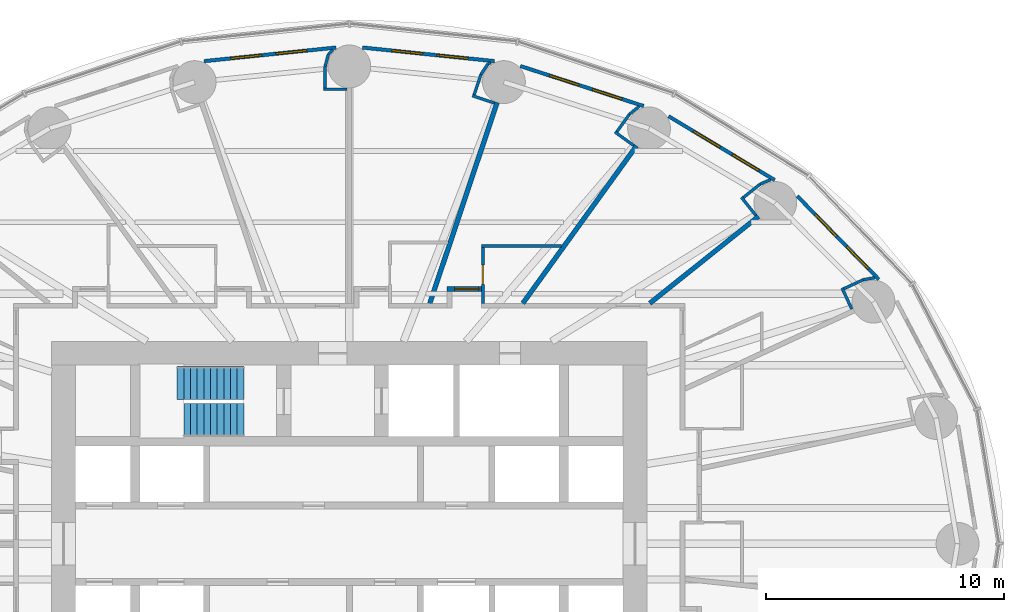
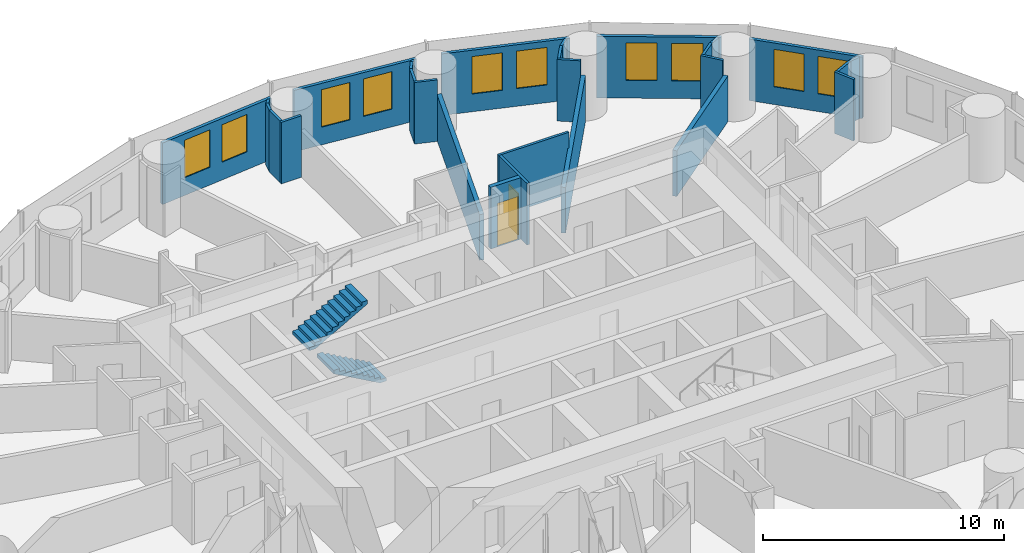
# One storey, part 12 of 14: 28 walls, 10 windows, 2 doors, 2 stair flights, 12 openings, 1 element without a shape of its own.
"""IFC4 building model written with IfcOpenShell, lengths in metres."""

from ifc_helpers import new_model, si_unit, direction, frame, frame_2d, origin, place, context, subcontext, project, spatial, polyline, rectangle, outline, extrude, material, layer, layer_set, type_object, element, fill, aggregate, save


model = new_model("IFC4")

# Units and contexts
model_context = context("Model", 3, precision=1e-05, world=origin(), true_north=direction((0.0, 1.0)))
body_context = subcontext(model_context, "Body", "Model", "MODEL_VIEW")
ifc_project = project(units=[si_unit("LENGTHUNIT", "METRE"), si_unit("AREAUNIT", "SQUARE_METRE"), si_unit("VOLUMEUNIT", "CUBIC_METRE"), si_unit("PLANEANGLEUNIT", "RADIAN"), si_unit("MASSUNIT", "GRAM", prefix="KILO")], contexts=[model_context])

# Site, building, storey
site_placement = place(None, origin())
site = spatial("IfcSite", under=ifc_project, at=site_placement, CompositionType="ELEMENT")
building_placement = place(site_placement, origin())
building = spatial("IfcBuilding", under=site, at=building_placement, Name="Hankou Lantern Tower", CompositionType="ELEMENT")
storey_placement = place(building_placement, frame((0.0, 0.0, 29.39990234375)))
storey = spatial("IfcBuildingStorey", under=building, at=storey_placement, Name="L05", CompositionType="ELEMENT", Elevation=29.39990234375)

# Wall, openings, windows
ifc_material_1 = material(Name="Aluminium spandrel panel on steel studs", Category="steel")
ifc_layer_1 = layer(ifc_material_1, 0.14990234375)
ifc_layer_set_1 = layer_set([ifc_layer_1], Name="Aluminium spandrel panel on steel studs")
wall_type_1 = type_object("IfcWallType", Name="EW1 INNER SKIN WALL 150", PredefinedType="ELEMENTEDWALL", material=ifc_layer_set_1)
wall_1_placement = place(storey_placement, frame((22.23876953125, 11.1083984375, 0.0), z_axis=(0.0, 0.0, 1.0), x_axis=(-0.699612594083, 0.714522370679, 0.0)))
wall_1 = element("IfcWall", 1, at=wall_1_placement, inside=storey, type_object=wall_type_1, Name="Inner skin R03-R04 L05", PredefinedType="ELEMENTEDWALL", context=body_context, shape_type="SweptSolid", body=[
    extrude(rectangle(XDim=4.89599609375, YDim=0.14990234375, at=frame_2d((2.447998046875, 0.0))), origin(), (0.0, 0.0, 1.0), 3.1201171875),
])
opening_1_placement = place(wall_1_placement, frame((0.619140625, 0.0, 0.89990234375)))
opening_1 = element("IfcOpeningElement", 2, at=opening_1_placement, cuts=wall_1, Name="Opening W9", PredefinedType="OPENING", context=body_context, shape_type="SweptSolid", body=[
    extrude(rectangle(XDim=1.300048828125, YDim=1.89990234375, at=frame_2d((0.64990234375, 0.949951171875))), frame((0.0, 0.0849609375, 0.0), z_axis=(0.0, -1.0, 0.0), x_axis=(1.0, 0.0, 0.0)), (0.0, 0.0, 1.0), 0.169921875),
])
opening_2_placement = place(wall_1_placement, frame((2.51904296875, 0.0, 0.89990234375)))
opening_2 = element("IfcOpeningElement", 3, at=opening_2_placement, cuts=wall_1, Name="Opening W9", PredefinedType="OPENING", context=body_context, shape_type="SweptSolid", body=[
    extrude(rectangle(XDim=1.300048828125, YDim=1.89990234375, at=frame_2d((0.64990234375, 0.949951171875))), frame((0.0, 0.0849609375, 0.0), z_axis=(0.0, -1.0, 0.0), x_axis=(1.0, 0.0, 0.0)), (0.0, 0.0, 1.0), 0.169921875),
])
ifc_material_2 = material(Name="Aluminium framed double glazed window", Category="aluminium")
window_type = type_object("IfcWindowType", Name="W9 GUEST ROOM WINDOW 1300X1900", PartitioningType="DOUBLE_PANEL_VERTICAL", PredefinedType="WINDOW", material=ifc_material_2)
window_1_placement = place(opening_1_placement, origin())
window_1 = element("IfcWindow", 4, at=window_1_placement, inside=storey, type_object=window_type, Name="Window R03.1 L05", OverallHeight=1.89990234375, OverallWidth=1.300048828125, PartitioningType="SINGLE_PANEL", PredefinedType="WINDOW", context=body_context, shape_type="SweptSolid", body=[
    extrude(rectangle(XDim=1.300048828125, YDim=1.89990234375, at=frame_2d((0.64990234375, 0.949951171875))), frame((0.0, 0.030029296875, 0.0), z_axis=(0.0, -1.0, 0.0), x_axis=(1.0, 0.0, 0.0)), (0.0, 0.0, 1.0), 0.06005859375),
])
fill(opening_1, window_1)
window_2_placement = place(opening_2_placement, origin())
window_2 = element("IfcWindow", 5, at=window_2_placement, inside=storey, type_object=window_type, Name="Window R03.2 L05", OverallHeight=1.89990234375, OverallWidth=1.300048828125, PartitioningType="SINGLE_PANEL", PredefinedType="WINDOW", context=body_context, shape_type="SweptSolid", body=[
    extrude(rectangle(XDim=1.300048828125, YDim=1.89990234375, at=frame_2d((0.64990234375, 0.949951171875))), frame((0.0, 0.030029296875, 0.0), z_axis=(0.0, -1.0, 0.0), x_axis=(1.0, 0.0, 0.0)), (0.0, 0.0, 1.0), 0.06005859375),
])
fill(opening_2, window_2)

wall_2_placement = place(storey_placement, frame((17.869384765625, 15.276611328125, 0.0), z_axis=(0.0, 0.0, 1.0), x_axis=(-0.856958191554, 0.515385931054, 0.0)))
wall_2 = element("IfcWall", 6, at=wall_2_placement, inside=storey, type_object=wall_type_1, Name="Inner skin R04-R05 L05", PredefinedType="ELEMENTEDWALL", context=body_context, shape_type="SweptSolid", body=[
    extrude(rectangle(XDim=5.201171875, YDim=0.14990234375, at=frame_2d((2.6005859375, 0.0))), origin(), (0.0, 0.0, 1.0), 3.1201171875),
])
opening_3_placement = place(wall_2_placement, frame((0.7763671875, 0.0, 0.89990234375)))
opening_3 = element("IfcOpeningElement", 7, at=opening_3_placement, cuts=wall_2, Name="Opening W9", PredefinedType="OPENING", context=body_context, shape_type="SweptSolid", body=[
    extrude(rectangle(XDim=1.300048828125, YDim=1.89990234375, at=frame_2d((0.64990234375, 0.949951171875))), frame((0.0, 0.0849609375, 0.0), z_axis=(0.0, -1.0, 0.0), x_axis=(1.0, 0.0, 0.0)), (0.0, 0.0, 1.0), 0.169921875),
])
opening_4_placement = place(wall_2_placement, frame((2.67626953125, 0.0, 0.89990234375)))
opening_4 = element("IfcOpeningElement", 8, at=opening_4_placement, cuts=wall_2, Name="Opening W9", PredefinedType="OPENING", context=body_context, shape_type="SweptSolid", body=[
    extrude(rectangle(XDim=1.300048828125, YDim=1.89990234375, at=frame_2d((0.64990234375, 0.949951171875))), frame((0.0, 0.0849609375, 0.0), z_axis=(0.0, -1.0, 0.0), x_axis=(1.0, 0.0, 0.0)), (0.0, 0.0, 1.0), 0.169921875),
])
window_3_placement = place(opening_3_placement, origin())
window_3 = element("IfcWindow", 9, at=window_3_placement, inside=storey, type_object=window_type, Name="Window R04.1 L05", OverallHeight=1.89990234375, OverallWidth=1.300048828125, PartitioningType="SINGLE_PANEL", PredefinedType="WINDOW", context=body_context, shape_type="SweptSolid", body=[
    extrude(rectangle(XDim=1.300048828125, YDim=1.89990234375, at=frame_2d((0.64990234375, 0.949951171875))), frame((0.0, 0.030029296875, 0.0), z_axis=(0.0, -1.0, 0.0), x_axis=(1.0, 0.0, 0.0)), (0.0, 0.0, 1.0), 0.06005859375),
])
fill(opening_3, window_3)
window_4_placement = place(opening_4_placement, origin())
window_4 = element("IfcWindow", 10, at=window_4_placement, inside=storey, type_object=window_type, Name="Window R04.2 L05", OverallHeight=1.89990234375, OverallWidth=1.300048828125, PartitioningType="SINGLE_PANEL", PredefinedType="WINDOW", context=body_context, shape_type="SweptSolid", body=[
    extrude(rectangle(XDim=1.300048828125, YDim=1.89990234375, at=frame_2d((0.64990234375, 0.949951171875))), frame((0.0, 0.030029296875, 0.0), z_axis=(0.0, -1.0, 0.0), x_axis=(1.0, 0.0, 0.0)), (0.0, 0.0, 1.0), 0.06005859375),
])
fill(opening_4, window_4)

wall_3_placement = place(storey_placement, frame((12.3662109375, 18.384033203125, 0.0), z_axis=(0.0, 0.0, 1.0), x_axis=(-0.951138486029, 0.308764603532, 0.0)))
wall_3 = element("IfcWall", 11, at=wall_3_placement, inside=storey, type_object=wall_type_1, Name="Inner skin R05-R06 L05", PredefinedType="ELEMENTEDWALL", context=body_context, shape_type="SweptSolid", body=[
    extrude(rectangle(XDim=5.444091796875, YDim=0.14990234375, at=frame_2d((2.72216796875, 0.0))), origin(), (0.0, 0.0, 1.0), 3.1201171875),
])
opening_5_placement = place(wall_3_placement, frame((0.959716796875, 0.0, 0.89990234375)))
opening_5 = element("IfcOpeningElement", 12, at=opening_5_placement, cuts=wall_3, Name="Opening W9", PredefinedType="OPENING", context=body_context, shape_type="SweptSolid", body=[
    extrude(rectangle(XDim=1.300048828125, YDim=1.89990234375, at=frame_2d((0.64990234375, 0.949951171875))), frame((0.0, 0.0849609375, 0.0), z_axis=(0.0, -1.0, 0.0), x_axis=(1.0, 0.0, 0.0)), (0.0, 0.0, 1.0), 0.169921875),
])
opening_6_placement = place(wall_3_placement, frame((2.85986328125, 0.0, 0.89990234375)))
opening_6 = element("IfcOpeningElement", 13, at=opening_6_placement, cuts=wall_3, Name="Opening W9", PredefinedType="OPENING", context=body_context, shape_type="SweptSolid", body=[
    extrude(rectangle(XDim=1.300048828125, YDim=1.89990234375, at=frame_2d((0.64990234375, 0.949951171875))), frame((0.0, 0.0849609375, 0.0), z_axis=(0.0, -1.0, 0.0), x_axis=(1.0, 0.0, 0.0)), (0.0, 0.0, 1.0), 0.169921875),
])
window_5_placement = place(opening_5_placement, origin())
window_5 = element("IfcWindow", 14, at=window_5_placement, inside=storey, type_object=window_type, Name="Window R05.1 L05", OverallHeight=1.89990234375, OverallWidth=1.300048828125, PartitioningType="SINGLE_PANEL", PredefinedType="WINDOW", context=body_context, shape_type="SweptSolid", body=[
    extrude(rectangle(XDim=1.300048828125, YDim=1.89990234375, at=frame_2d((0.64990234375, 0.949951171875))), frame((0.0, 0.030029296875, 0.0), z_axis=(0.0, -1.0, 0.0), x_axis=(1.0, 0.0, 0.0)), (0.0, 0.0, 1.0), 0.06005859375),
])
fill(opening_5, window_5)
window_6_placement = place(opening_6_placement, origin())
window_6 = element("IfcWindow", 15, at=window_6_placement, inside=storey, type_object=window_type, Name="Window R05.2 L05", OverallHeight=1.89990234375, OverallWidth=1.300048828125, PartitioningType="SINGLE_PANEL", PredefinedType="WINDOW", context=body_context, shape_type="SweptSolid", body=[
    extrude(rectangle(XDim=1.300048828125, YDim=1.89990234375, at=frame_2d((0.64990234375, 0.949951171875))), frame((0.0, 0.030029296875, 0.0), z_axis=(0.0, -1.0, 0.0), x_axis=(1.0, 0.0, 0.0)), (0.0, 0.0, 1.0), 0.06005859375),
])
fill(opening_6, window_6)

wall_4_placement = place(storey_placement, frame((6.09765625, 20.27099609375, 0.0), z_axis=(0.0, 0.0, 1.0), x_axis=(-0.994723735084, 0.102589915983, 0.0)))
wall_4 = element("IfcWall", 16, at=wall_4_placement, inside=storey, type_object=wall_type_1, Name="Inner skin R06-R07 L05", PredefinedType="ELEMENTEDWALL", context=body_context, shape_type="SweptSolid", body=[
    extrude(rectangle(XDim=5.575927734375, YDim=0.14990234375, at=frame_2d((2.7880859375, 0.0))), origin(), (0.0, 0.0, 1.0), 3.1201171875),
])
opening_7_placement = place(wall_4_placement, frame((1.128662109375, 0.0, 0.89990234375)))
opening_7 = element("IfcOpeningElement", 17, at=opening_7_placement, cuts=wall_4, Name="Opening W9", PredefinedType="OPENING", context=body_context, shape_type="SweptSolid", body=[
    extrude(rectangle(XDim=1.300048828125, YDim=1.89990234375, at=frame_2d((0.64990234375, 0.949951171875))), frame((0.0, 0.0849609375, 0.0), z_axis=(0.0, -1.0, 0.0), x_axis=(1.0, 0.0, 0.0)), (0.0, 0.0, 1.0), 0.169921875),
])
opening_8_placement = place(wall_4_placement, frame((3.02880859375, 0.0, 0.89990234375)))
opening_8 = element("IfcOpeningElement", 18, at=opening_8_placement, cuts=wall_4, Name="Opening W9", PredefinedType="OPENING", context=body_context, shape_type="SweptSolid", body=[
    extrude(rectangle(XDim=1.300048828125, YDim=1.89990234375, at=frame_2d((0.64990234375, 0.949951171875))), frame((0.0, 0.0849609375, 0.0), z_axis=(0.0, -1.0, 0.0), x_axis=(1.0, 0.0, 0.0)), (0.0, 0.0, 1.0), 0.169921875),
])
window_7_placement = place(opening_7_placement, origin())
window_7 = element("IfcWindow", 19, at=window_7_placement, inside=storey, type_object=window_type, Name="Window R06.1 L05", OverallHeight=1.89990234375, OverallWidth=1.300048828125, PartitioningType="SINGLE_PANEL", PredefinedType="WINDOW", context=body_context, shape_type="SweptSolid", body=[
    extrude(rectangle(XDim=1.300048828125, YDim=1.89990234375, at=frame_2d((0.64990234375, 0.949951171875))), frame((0.0, 0.030029296875, 0.0), z_axis=(0.0, -1.0, 0.0), x_axis=(1.0, 0.0, 0.0)), (0.0, 0.0, 1.0), 0.06005859375),
])
fill(opening_7, window_7)
window_8_placement = place(opening_8_placement, origin())
window_8 = element("IfcWindow", 20, at=window_8_placement, inside=storey, type_object=window_type, Name="Window R06.2 L05", OverallHeight=1.89990234375, OverallWidth=1.300048828125, PartitioningType="SINGLE_PANEL", PredefinedType="WINDOW", context=body_context, shape_type="SweptSolid", body=[
    extrude(rectangle(XDim=1.300048828125, YDim=1.89990234375, at=frame_2d((0.64990234375, 0.949951171875))), frame((0.0, 0.030029296875, 0.0), z_axis=(0.0, -1.0, 0.0), x_axis=(1.0, 0.0, 0.0)), (0.0, 0.0, 1.0), 0.06005859375),
])
fill(opening_8, window_8)

wall_5_placement = place(storey_placement, frame((-0.55126953125, 20.843017578125, 0.0), z_axis=(0.0, 0.0, 1.0), x_axis=(-0.994723735084, -0.102589915983, 0.0)))
wall_5 = element("IfcWall", 21, at=wall_5_placement, inside=storey, type_object=wall_type_1, Name="Inner skin R07-R08 L05", PredefinedType="ELEMENTEDWALL", context=body_context, shape_type="SweptSolid", body=[
    extrude(rectangle(XDim=5.575927734375, YDim=0.14990234375, at=frame_2d((2.7880859375, 0.0))), origin(), (0.0, 0.0, 1.0), 3.1201171875),
])
opening_9_placement = place(wall_5_placement, frame((1.246826171875, 0.0, 0.89990234375)))
opening_9 = element("IfcOpeningElement", 22, at=opening_9_placement, cuts=wall_5, Name="Opening W9", PredefinedType="OPENING", context=body_context, shape_type="SweptSolid", body=[
    extrude(rectangle(XDim=1.300048828125, YDim=1.89990234375, at=frame_2d((0.64990234375, 0.949951171875))), frame((0.0, 0.0849609375, 0.0), z_axis=(0.0, -1.0, 0.0), x_axis=(1.0, 0.0, 0.0)), (0.0, 0.0, 1.0), 0.169921875),
])
opening_10_placement = place(wall_5_placement, frame((3.146728515625, 0.0, 0.89990234375)))
opening_10 = element("IfcOpeningElement", 23, at=opening_10_placement, cuts=wall_5, Name="Opening W9", PredefinedType="OPENING", context=body_context, shape_type="SweptSolid", body=[
    extrude(rectangle(XDim=1.300048828125, YDim=1.89990234375, at=frame_2d((0.64990234375, 0.949951171875))), frame((0.0, 0.0849609375, 0.0), z_axis=(0.0, -1.0, 0.0), x_axis=(1.0, 0.0, 0.0)), (0.0, 0.0, 1.0), 0.169921875),
])
window_9_placement = place(opening_9_placement, origin())
window_9 = element("IfcWindow", 24, at=window_9_placement, inside=storey, type_object=window_type, Name="Window R07.1 L05", OverallHeight=1.89990234375, OverallWidth=1.300048828125, PartitioningType="SINGLE_PANEL", PredefinedType="WINDOW", context=body_context, shape_type="SweptSolid", body=[
    extrude(rectangle(XDim=1.300048828125, YDim=1.89990234375, at=frame_2d((0.64990234375, 0.949951171875))), frame((0.0, 0.030029296875, 0.0), z_axis=(0.0, -1.0, 0.0), x_axis=(1.0, 0.0, 0.0)), (0.0, 0.0, 1.0), 0.06005859375),
])
fill(opening_9, window_9)
window_10_placement = place(opening_10_placement, origin())
window_10 = element("IfcWindow", 25, at=window_10_placement, inside=storey, type_object=window_type, Name="Window R07.2 L05", OverallHeight=1.89990234375, OverallWidth=1.300048828125, PartitioningType="SINGLE_PANEL", PredefinedType="WINDOW", context=body_context, shape_type="SweptSolid", body=[
    extrude(rectangle(XDim=1.300048828125, YDim=1.89990234375, at=frame_2d((0.64990234375, 0.949951171875))), frame((0.0, 0.030029296875, 0.0), z_axis=(0.0, -1.0, 0.0), x_axis=(1.0, 0.0, 0.0)), (0.0, 0.0, 1.0), 0.06005859375),
])
fill(opening_10, window_10)

# Wall
ifc_material_3 = material(Name="Masonry lightweight concrete block", Category="masonry")
ifc_layer_2 = layer(ifc_material_3, 0.199951171875)
ifc_layer_set_2 = layer_set([ifc_layer_2], Name="Masonry lightweight concrete block")
wall_type_2 = type_object("IfcWallType", Name="IW1 GUEST ROOM PARTY WALL 200", PredefinedType="PARTITIONING", material=ifc_layer_set_2)
wall_6_placement = place(storey_placement, frame((3.3828125, 10.10009765625, 0.0), z_axis=(0.0, 0.0, 1.0), x_axis=(0.317593727596, 0.948226884344, 0.0)))
element("IfcWall", 26, at=wall_6_placement, inside=storey, type_object=wall_type_2, Name="Party wall R06", PredefinedType="PARTITIONING", context=body_context, shape_type="SweptSolid", body=[
    extrude(rectangle(XDim=8.898681640625, YDim=0.199951171875, at=frame_2d((4.44921875, 0.0))), origin(), (0.0, 0.0, 1.0), 2.320068359375),
])

# Wall, opening, door
ifc_material_4 = material(Name="Masonry lightweight concrete block", Category="masonry")
ifc_layer_3 = layer(ifc_material_4, 0.199951171875)
ifc_layer_set_3 = layer_set([ifc_layer_3], Name="Masonry lightweight concrete block")
wall_type_3 = type_object("IfcWallType", Name="IW2 CORRIDOR WALL 200", PredefinedType="PARTITIONING", material=ifc_layer_set_3)
wall_7_placement = place(storey_placement, frame((4.109130859375, 10.699951171875, 0.0), z_axis=(0.0, 0.0, 1.0), x_axis=(1.0, 0.0, 0.0)))
wall_7 = element("IfcWall", 27, at=wall_7_placement, inside=storey, type_object=wall_type_3, Name="Corridor recess wall 0507 back", PredefinedType="PARTITIONING", context=body_context, shape_type="SweptSolid", body=[
    extrude(rectangle(XDim=1.43994140625, YDim=0.199951171875, at=frame_2d((0.719970703125, 0.0))), origin(), (0.0, 0.0, 1.0), 3.1201171875),
])
opening_11_placement = place(wall_7_placement, frame((0.320068359375, 0.0, 0.0)))
opening_11 = element("IfcOpeningElement", 28, at=opening_11_placement, cuts=wall_7, Name="Opening D1", PredefinedType="OPENING", context=body_context, shape_type="SweptSolid", body=[
    extrude(rectangle(XDim=1.0, YDim=2.199951171875, at=frame_2d((0.5, 1.10009765625))), frame((0.0, 0.10986328125, 0.0), z_axis=(0.0, -1.0, 0.0), x_axis=(1.0, 0.0, 0.0)), (0.0, 0.0, 1.0), 0.219970703125),
])
ifc_material_5 = material(Name="Steel door leaf", Category="steel")
door_type_1 = type_object("IfcDoorType", Name="D1 GUEST ROOM DOOR 1000X2200", OperationType="SINGLE_SWING_LEFT", PredefinedType="DOOR", material=ifc_material_5)
door_1_placement = place(opening_11_placement, origin())
door_1 = element("IfcDoor", 29, at=door_1_placement, inside=storey, type_object=door_type_1, Name="Guest room door 0507", OperationType="SINGLE_SWING_RIGHT", OverallHeight=2.199951171875, OverallWidth=1.0, PredefinedType="DOOR", context=body_context, shape_type="SweptSolid", body=[
    extrude(rectangle(XDim=1.0, YDim=2.199951171875, at=frame_2d((0.5, 1.10009765625))), frame((0.0, 0.02490234375, 0.0), z_axis=(0.0, -1.0, 0.0), x_axis=(1.0, 0.0, 0.0)), (0.0, 0.0, 1.0), 0.050048828125),
])
fill(opening_11, door_1)

# Wall
ifc_material_6 = material(Name="Masonry lightweight concrete block", Category="masonry")
ifc_layer_4 = layer(ifc_material_6, 0.1201171875)
ifc_layer_set_4 = layer_set([ifc_layer_4], Name="Masonry lightweight concrete block")
wall_type_4 = type_object("IfcWallType", Name="IW3 BATHROOM WALL 120", PredefinedType="PARTITIONING", material=ifc_layer_set_4)
wall_8_placement = place(storey_placement, frame((8.921142578125, 12.5, 0.0), z_axis=(0.0, 0.0, 1.0), x_axis=(-1.0, 0.0, 0.0)))
element("IfcWall", 30, at=wall_8_placement, inside=storey, type_object=wall_type_4, Name="Box wall 0507 1", PredefinedType="PARTITIONING", context=body_context, shape_type="SweptSolid", body=[
    extrude(rectangle(XDim=3.3720703125, YDim=0.1201171875, at=frame_2d((1.68603515625, 0.0))), origin(), (0.0, 0.0, 1.0), 3.1201171875),
])

# Wall, opening, door
wall_9_placement = place(storey_placement, frame((5.609130859375, 10.10009765625, 0.0), z_axis=(0.0, 0.0, 1.0), x_axis=(0.0, 1.0, 0.0)))
wall_9 = element("IfcWall", 31, at=wall_9_placement, inside=storey, type_object=wall_type_4, Name="Box wall 0507 1", PredefinedType="PARTITIONING", context=body_context, shape_type="SweptSolid", body=[
    extrude(rectangle(XDim=2.33984375, YDim=0.1201171875, at=frame_2d((1.169921875, 0.0))), origin(), (0.0, 0.0, 1.0), 3.1201171875),
])
opening_12_placement = place(wall_9_placement, frame((0.800048828125, 0.0, 0.0)))
opening_12 = element("IfcOpeningElement", 32, at=opening_12_placement, cuts=wall_9, Name="Opening D3", PredefinedType="OPENING", context=body_context, shape_type="SweptSolid", body=[
    extrude(rectangle(XDim=0.800048828125, YDim=2.10009765625, at=frame_2d((0.39990234375, 1.050048828125))), frame((0.0, 0.070068359375, 0.0), z_axis=(0.0, -1.0, 0.0), x_axis=(1.0, 0.0, 0.0)), (0.0, 0.0, 1.0), 0.14013671875),
])
ifc_material_7 = material(Name="Timber door leaf", Category="wood")
door_type_2 = type_object("IfcDoorType", Name="D3 BATHROOM DOOR 800X2100", OperationType="SINGLE_SWING_LEFT", PredefinedType="DOOR", material=ifc_material_7)
door_2_placement = place(opening_12_placement, origin())
door_2 = element("IfcDoor", 33, at=door_2_placement, inside=storey, type_object=door_type_2, Name="En-suite bathroom 0507 door", OperationType="SINGLE_SWING_LEFT", OverallHeight=2.10009765625, OverallWidth=0.800048828125, PredefinedType="DOOR", context=body_context, shape_type="SweptSolid", body=[
    extrude(rectangle(XDim=0.800048828125, YDim=2.10009765625, at=frame_2d((0.39990234375, 1.050048828125))), frame((0.0, 0.02490234375, 0.0), z_axis=(0.0, -1.0, 0.0), x_axis=(1.0, 0.0, 0.0)), (0.0, 0.0, 1.0), 0.050048828125),
])
fill(opening_12, door_2)

# Walls
ifc_material_8 = material(Name="Masonry lightweight concrete block", Category="masonry")
ifc_layer_5 = layer(ifc_material_8, 0.1201171875)
ifc_layer_set_5 = layer_set([ifc_layer_5], Name="Masonry lightweight concrete block")
wall_type_5 = type_object("IfcWallType", Name="IW4 PARTITION 120", PredefinedType="PARTITIONING", material=ifc_layer_set_5)
wall_10_placement = place(storey_placement, frame((21.105712890625, 9.8583984375, 0.0), z_axis=(0.0, 0.0, 1.0), x_axis=(-0.419344098106, 0.907827366509, 0.0)))
element("IfcWall", 34, at=wall_10_placement, inside=storey, type_object=wall_type_5, Name="Column casing R03 return", PredefinedType="PARTITIONING", context=body_context, shape_type="SweptSolid", body=[
    extrude(rectangle(XDim=0.974609375, YDim=0.1201171875, at=frame_2d((0.4873046875, 0.0))), origin(), (0.0, 0.0, 1.0), 3.1201171875),
])
wall_11_placement = place(storey_placement, frame((20.776611328125, 10.7138671875, 0.0), z_axis=(0.0, 0.0, 1.0), x_axis=(0.907832324198, 0.419333365166, 0.0)))
element("IfcWall", 35, at=wall_11_placement, inside=storey, type_object=wall_type_5, Name="Column casing R03", PredefinedType="PARTITIONING", context=body_context, shape_type="SweptSolid", body=[
    extrude(rectangle(XDim=0.900146484375, YDim=0.1201171875, at=frame_2d((0.4501953125, 0.0))), origin(), (0.0, 0.0, 1.0), 3.1201171875),
])
wall_12_placement = place(storey_placement, frame((21.59375, 11.09130859375, 0.0), z_axis=(0.0, 0.0, 1.0), x_axis=(0.985483306792, 0.169772353566, 0.0)))
element("IfcWall", 36, at=wall_12_placement, inside=storey, type_object=wall_type_5, Name="Column casing R03", PredefinedType="PARTITIONING", context=body_context, shape_type="SweptSolid", body=[
    extrude(rectangle(XDim=0.486083984375, YDim=0.1201171875, at=frame_2d((0.2431640625, 0.0))), origin(), (0.0, 0.0, 1.0), 3.1201171875),
])
wall_13_placement = place(storey_placement, frame((17.07958984375, 13.791748046875, 0.0), z_axis=(0.0, 0.0, 1.0), x_axis=(-0.624756144097, 0.780819928289, 0.0)))
element("IfcWall", 37, at=wall_13_placement, inside=storey, type_object=wall_type_5, Name="Column casing R04 return", PredefinedType="PARTITIONING", context=body_context, shape_type="SweptSolid", body=[
    extrude(rectangle(XDim=0.974609375, YDim=0.1201171875, at=frame_2d((0.4873046875, 0.0))), origin(), (0.0, 0.0, 1.0), 3.1201171875),
])
wall_14_placement = place(storey_placement, frame((16.55517578125, 14.54345703125, 0.0), z_axis=(0.0, 0.0, 1.0), x_axis=(0.780789399477, 0.62479429708, 0.0)))
element("IfcWall", 38, at=wall_14_placement, inside=storey, type_object=wall_type_5, Name="Column casing R04", PredefinedType="PARTITIONING", context=body_context, shape_type="SweptSolid", body=[
    extrude(rectangle(XDim=0.89990234375, YDim=0.1201171875, at=frame_2d((0.449951171875, 0.0))), origin(), (0.0, 0.0, 1.0), 3.1201171875),
])
wall_15_placement = place(storey_placement, frame((17.2578125, 15.105712890625, 0.0), z_axis=(0.0, 0.0, 1.0), x_axis=(0.916098562583, 0.400953143937, 0.0)))
element("IfcWall", 39, at=wall_15_placement, inside=storey, type_object=wall_type_5, Name="Column casing R04", PredefinedType="PARTITIONING", context=body_context, shape_type="SweptSolid", body=[
    extrude(rectangle(XDim=0.476806640625, YDim=0.1201171875, at=frame_2d((0.23828125, 0.0))), origin(), (0.0, 0.0, 1.0), 3.1201171875),
])
wall_16_placement = place(storey_placement, frame((11.947998046875, 16.7265625, 0.0), z_axis=(0.0, 0.0, 1.0), x_axis=(-0.810897160646, 0.585188683123, 0.0)))
element("IfcWall", 40, at=wall_16_placement, inside=storey, type_object=wall_type_5, Name="Column casing R05 return", PredefinedType="PARTITIONING", context=body_context, shape_type="SweptSolid", body=[
    extrude(rectangle(XDim=0.974609375, YDim=0.1201171875, at=frame_2d((0.4873046875, 0.0))), origin(), (0.0, 0.0, 1.0), 3.1201171875),
])
wall_17_placement = place(storey_placement, frame((11.241455078125, 17.310302734375, 0.0), z_axis=(0.0, 0.0, 1.0), x_axis=(0.585054732094, 0.810993810367, 0.0)))
element("IfcWall", 41, at=wall_17_placement, inside=storey, type_object=wall_type_5, Name="Column casing R05", PredefinedType="PARTITIONING", context=body_context, shape_type="SweptSolid", body=[
    extrude(rectangle(XDim=0.900146484375, YDim=0.1201171875, at=frame_2d((0.4501953125, 0.0))), origin(), (0.0, 0.0, 1.0), 3.1201171875),
])
wall_18_placement = place(storey_placement, frame((11.76806640625, 18.040283203125, 0.0), z_axis=(0.0, 0.0, 1.0), x_axis=(0.775268927517, 0.631631292787, 0.0)))
element("IfcWall", 42, at=wall_18_placement, inside=storey, type_object=wall_type_5, Name="Column casing R05", PredefinedType="PARTITIONING", context=body_context, shape_type="SweptSolid", body=[
    extrude(rectangle(XDim=0.521728515625, YDim=0.1201171875, at=frame_2d((0.2607421875, 0.0))), origin(), (0.0, 0.0, 1.0), 3.1201171875),
])
wall_19_placement = place(storey_placement, frame((6.09521484375, 18.512939453125, 0.0), z_axis=(0.0, 0.0, 1.0), x_axis=(-0.948281677008, 0.317430088446, 0.0)))
element("IfcWall", 43, at=wall_19_placement, inside=storey, type_object=wall_type_5, Name="Column casing R06 return", PredefinedType="PARTITIONING", context=body_context, shape_type="SweptSolid", body=[
    extrude(rectangle(XDim=0.974365234375, YDim=0.1201171875, at=frame_2d((0.4873046875, 0.0))), origin(), (0.0, 0.0, 1.0), 3.1201171875),
])
wall_20_placement = place(storey_placement, frame((5.2470703125, 18.860107421875, 0.0), z_axis=(0.0, 0.0, 1.0), x_axis=(0.317610704489, 0.94822119803, 0.0)))
element("IfcWall", 44, at=wall_20_placement, inside=storey, type_object=wall_type_5, Name="Column casing R06", PredefinedType="PARTITIONING", context=body_context, shape_type="SweptSolid", body=[
    extrude(rectangle(XDim=0.900146484375, YDim=0.1201171875, at=frame_2d((0.4501953125, 0.0))), origin(), (0.0, 0.0, 1.0), 3.1201171875),
])
wall_21_placement = place(storey_placement, frame((5.532958984375, 19.713623046875, 0.0), z_axis=(0.0, 0.0, 1.0), x_axis=(0.552014331743, 0.833834622422, 0.0)))
element("IfcWall", 45, at=wall_21_placement, inside=storey, type_object=wall_type_5, Name="Column casing R06", PredefinedType="PARTITIONING", context=body_context, shape_type="SweptSolid", body=[
    extrude(rectangle(XDim=0.52490234375, YDim=0.1201171875, at=frame_2d((0.262451171875, 0.0))), origin(), (0.0, 0.0, 1.0), 3.1201171875),
])
wall_22_placement = place(storey_placement, frame((5.82275390625, 20.1513671875, 0.0), z_axis=(0.0, 0.0, 1.0), x_axis=(0.894784104941, 0.446499054362, 0.0)))
element("IfcWall", 46, at=wall_22_placement, inside=storey, type_object=wall_type_5, Name="Column casing R06", PredefinedType="PARTITIONING", context=body_context, shape_type="SweptSolid", body=[
    extrude(rectangle(XDim=0.13671875, YDim=0.1201171875, at=frame_2d((0.068359375, 0.0))), origin(), (0.0, 0.0, 1.0), 3.1201171875),
])
wall_23_placement = place(storey_placement, frame((-0.10009765625, 19.090087890625, 0.0), z_axis=(0.0, 0.0, 1.0), x_axis=(-1.0, 0.0, 0.0)))
element("IfcWall", 47, at=wall_23_placement, inside=storey, type_object=wall_type_5, Name="Column casing R07 return", PredefinedType="PARTITIONING", context=body_context, shape_type="SweptSolid", body=[
    extrude(rectangle(XDim=0.974365234375, YDim=0.1201171875, at=frame_2d((0.4873046875, 0.0))), origin(), (0.0, 0.0, 1.0), 3.1201171875),
])
wall_24_placement = place(storey_placement, frame((-1.0146484375, 19.14990234375, 0.0), z_axis=(0.0, 0.0, 1.0), x_axis=(0.0, 1.0, 0.0)))
element("IfcWall", 48, at=wall_24_placement, inside=storey, type_object=wall_type_5, Name="Column casing R07", PredefinedType="PARTITIONING", context=body_context, shape_type="SweptSolid", body=[
    extrude(rectangle(XDim=0.900146484375, YDim=0.1201171875, at=frame_2d((0.4501953125, 0.0))), origin(), (0.0, 0.0, 1.0), 3.1201171875),
])
wall_25_placement = place(storey_placement, frame((-1.0146484375, 20.050048828125, 0.0), z_axis=(0.0, 0.0, 1.0), x_axis=(0.258906465625, 0.96590239779, 0.0)))
element("IfcWall", 49, at=wall_25_placement, inside=storey, type_object=wall_type_5, Name="Column casing R07", PredefinedType="PARTITIONING", context=body_context, shape_type="SweptSolid", body=[
    extrude(rectangle(XDim=0.525146484375, YDim=0.1201171875, at=frame_2d((0.2626953125, 0.0))), origin(), (0.0, 0.0, 1.0), 3.1201171875),
])
wall_26_placement = place(storey_placement, frame((-0.878662109375, 20.557373046875, 0.0), z_axis=(0.0, 0.0, 1.0), x_axis=(0.707106781187, 0.707106781187, 0.0)))
element("IfcWall", 50, at=wall_26_placement, inside=storey, type_object=wall_type_5, Name="Column casing R07", PredefinedType="PARTITIONING", context=body_context, shape_type="SweptSolid", body=[
    extrude(rectangle(XDim=0.279052734375, YDim=0.1201171875, at=frame_2d((0.1396484375, 0.0))), origin(), (0.0, 0.0, 1.0), 3.1201171875),
])
ifc_material_9 = material(Name="Masonry lightweight concrete block", Category="masonry")
ifc_layer_6 = layer(ifc_material_9, 0.199951171875)
ifc_layer_set_6 = layer_set([ifc_layer_6], Name="Masonry lightweight concrete block")
wall_type_6 = type_object("IfcWallType", Name="IW8 PARTITION 200", PredefinedType="PARTITIONING", material=ifc_layer_set_6)
wall_27_placement = place(storey_placement, frame((12.625, 10.10009765625, 0.0), z_axis=(0.0, 0.0, 1.0), x_axis=(0.780872884676, 0.624689953479, 0.0)))
element("IfcWall", 51, at=wall_27_placement, inside=storey, type_object=wall_type_6, Name="Partition R04", PredefinedType="PARTITIONING", context=body_context, shape_type="SweptSolid", body=[
    extrude(rectangle(XDim=5.8447265625, YDim=0.199951171875, at=frame_2d((2.92236328125, 0.0))), origin(), (0.0, 0.0, 1.0), 2.320068359375),
])
wall_28_placement = place(storey_placement, frame((7.2890625, 10.10009765625, 0.0), z_axis=(0.0, 0.0, 1.0), x_axis=(0.585216319319, 0.810877216108, 0.0)))
element("IfcWall", 52, at=wall_28_placement, inside=storey, type_object=wall_type_6, Name="Partition R05", PredefinedType="PARTITIONING", context=body_context, shape_type="SweptSolid", body=[
    extrude(rectangle(XDim=8.15966796875, YDim=0.199951171875, at=frame_2d((4.079833984375, 0.0))), origin(), (0.0, 0.0, 1.0), 2.320068359375),
])

# Stair, stair flights
ifc_material_10 = material(Name="Concrete C40", Category="concrete")
stair_type = type_object("IfcStairType", Name="ST33 CORE STAIR 3300 RISE", PredefinedType="HALF_TURN_STAIR", material=ifc_material_10)
stair_placement = place(storey_placement, origin())
stair = element("IfcStair", 53, at=stair_placement, inside=storey, type_object=stair_type, Name="Stair STA L05", PredefinedType="HALF_TURN_STAIR")
ifc_material_11 = material(Name="Concrete C40", Category="concrete")
stair_flight_type_1 = type_object("IfcStairFlightType", Name="CF10 CORE STAIR FLIGHT 1400 X 10 RISERS", PredefinedType="STRAIGHT", material=ifc_material_11)
stair_flight_1_placement = place(storey_placement, frame((-4.429931640625, 5.199951171875, 0.0), z_axis=(0.0, 0.0, 1.0), x_axis=(-1.0, 0.0, 0.0)))
stair_flight_1 = element("IfcStairFlight", 54, at=stair_flight_1_placement, type_object=stair_flight_type_1, Name="STA flight 1", NumberOfRisers=10, NumberOfTreads=9, PredefinedType="STRAIGHT", RiserHeight=0.157142857, TreadLength=0.28, context=body_context, shape_type="SweptSolid", body=[
    extrude(outline(polyline([(0.0, 0.0), (0.0, 0.1572265625), (0.280029296875, 0.1572265625), (0.280029296875, 0.314208984375), (0.56005859375, 0.314208984375), (0.56005859375, 0.471435546875), (0.840087890625, 0.471435546875), (0.840087890625, 0.628662109375), (1.1201171875, 0.628662109375), (1.1201171875, 0.78564453125), (1.39990234375, 0.78564453125), (1.39990234375, 0.94287109375), (1.679931640625, 0.94287109375), (1.679931640625, 1.10009765625), (1.9599609375, 1.10009765625), (1.9599609375, 1.257080078125), (2.239990234375, 1.257080078125), (2.239990234375, 1.414306640625), (2.52001953125, 1.414306640625), (2.52001953125, 1.571533203125), (2.52001953125, 1.242431640625), (0.306396484375, 0.0), (0.0, 0.0)])), frame((0.0, 0.699951171875, 0.0), z_axis=(0.0, -1.0, 0.0), x_axis=(1.0, 0.0, 0.0)), (0.0, 0.0, 1.0), 1.39990234375),
])
ifc_material_12 = material(Name="Concrete C40", Category="concrete")
stair_flight_type_2 = type_object("IfcStairFlightType", Name="CF11 CORE STAIR FLIGHT 1400 X 11 RISERS", PredefinedType="STRAIGHT", material=ifc_material_12)
stair_flight_2_placement = place(storey_placement, frame((-7.22998046875, 6.75, 1.571533203125), z_axis=(0.0, 0.0, 1.0), x_axis=(1.0, 0.0, 0.0)))
stair_flight_2 = element("IfcStairFlight", 55, at=stair_flight_2_placement, type_object=stair_flight_type_2, Name="STA flight 2", NumberOfRisers=11, NumberOfTreads=10, PredefinedType="STRAIGHT", RiserHeight=0.157142857, TreadLength=0.28, context=body_context, shape_type="SweptSolid", body=[
    extrude(outline(polyline([(0.0, 0.0), (0.0, 0.1572265625), (0.280029296875, 0.1572265625), (0.280029296875, 0.314208984375), (0.56005859375, 0.314208984375), (0.56005859375, 0.471435546875), (0.840087890625, 0.471435546875), (0.840087890625, 0.628662109375), (1.1201171875, 0.628662109375), (1.1201171875, 0.78564453125), (1.39990234375, 0.78564453125), (1.39990234375, 0.94287109375), (1.679931640625, 0.94287109375), (1.679931640625, 1.10009765625), (1.9599609375, 1.10009765625), (1.9599609375, 1.257080078125), (2.239990234375, 1.257080078125), (2.239990234375, 1.414306640625), (2.52001953125, 1.414306640625), (2.52001953125, 1.571533203125), (2.800048828125, 1.571533203125), (2.800048828125, 1.728515625), (2.800048828125, 1.3994140625), (0.306396484375, 0.0), (0.0, 0.0)])), frame((0.0, 0.699951171875, 0.0), z_axis=(0.0, -1.0, 0.0), x_axis=(1.0, 0.0, 0.0)), (0.0, 0.0, 1.0), 1.39990234375),
])
aggregate(stair, [stair_flight_1, stair_flight_2])

save(model, "model.ifc")
